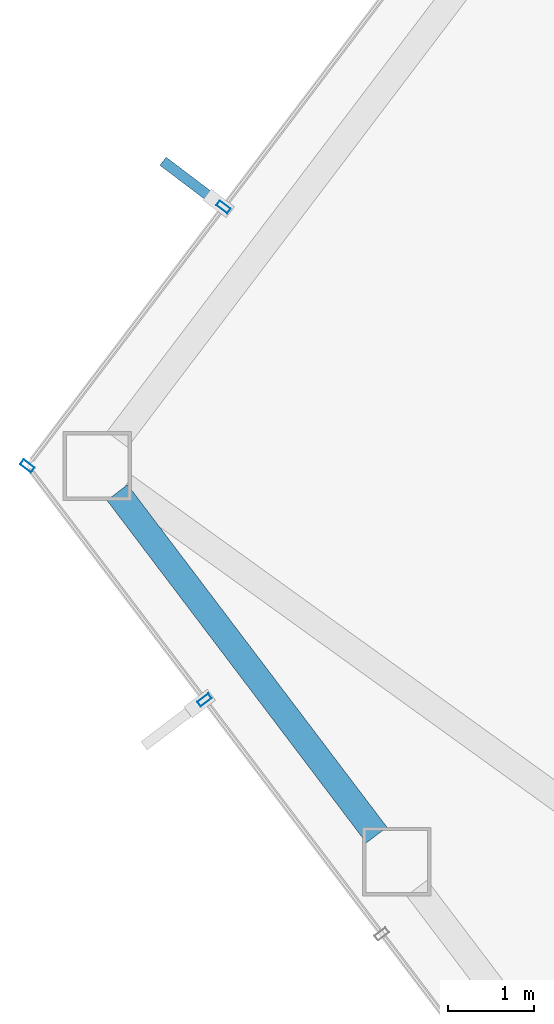
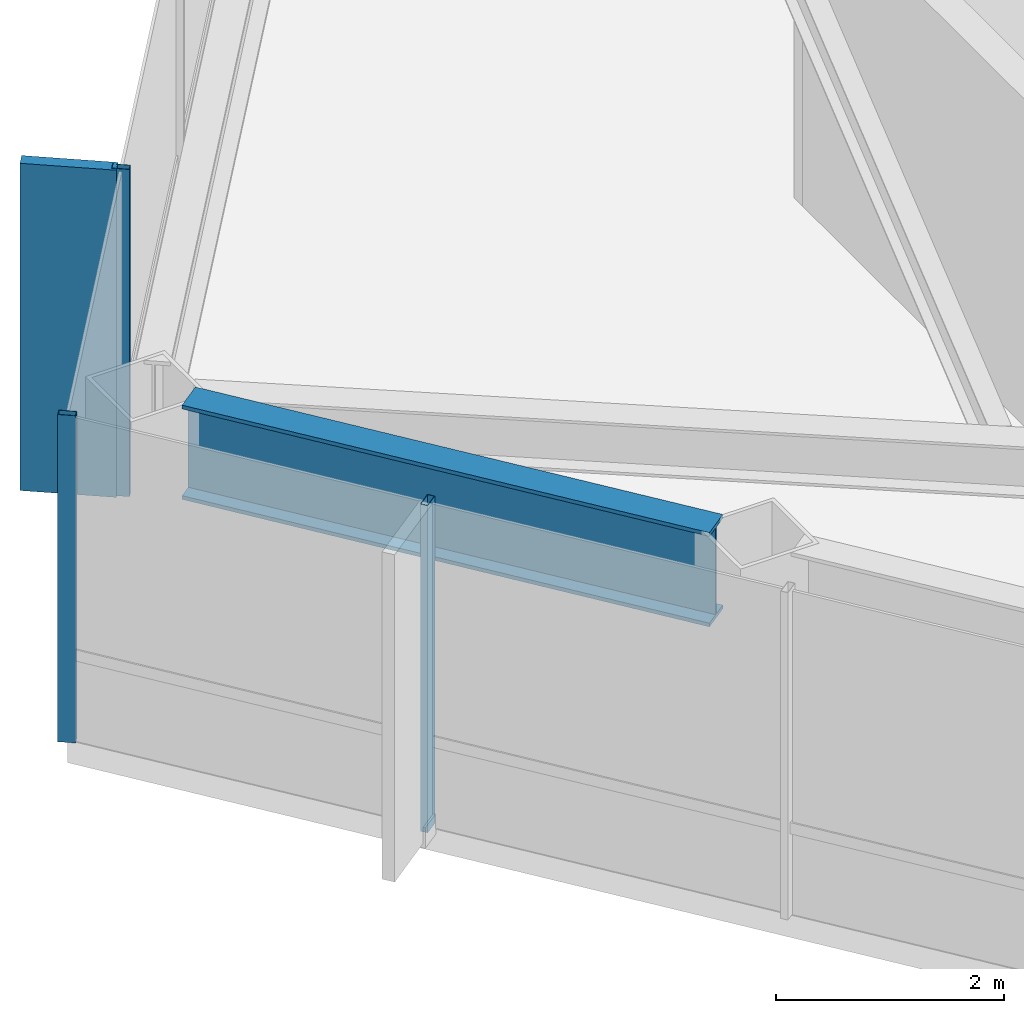
# One storey, part 10 of 29: 4 members, 1 beam, 2 elements without a shape of their own.
"""IFC4 building model written with IfcOpenShell, lengths in metres."""

from ifc_helpers import new_model, si_unit, direction, frame, origin, origin_2d, place, context, subcontext, project, spatial, rectangle, hollow_rectangle, i_section, extrude, material, layer, layer_set, material_profile, profile_set, type_object, element, aggregate, save


model = new_model("IFC4")

# Units and contexts
model_context = context("Model", 3, precision=1e-05, world=origin(), true_north=direction((0.0, 1.0)))
body_context = subcontext(model_context, "Body", "Model", "MODEL_VIEW")
ifc_project = project(units=[si_unit("LENGTHUNIT", "METRE"), si_unit("AREAUNIT", "SQUARE_METRE"), si_unit("VOLUMEUNIT", "CUBIC_METRE"), si_unit("PLANEANGLEUNIT", "RADIAN"), si_unit("MASSUNIT", "GRAM", prefix="KILO")], contexts=[model_context])

# Site, building, storey
site_placement = place(None, origin())
site = spatial("IfcSite", under=ifc_project, at=site_placement, CompositionType="ELEMENT")
building_placement = place(site_placement, origin())
building = spatial("IfcBuilding", under=site, at=building_placement, Name="Zarrinselat Tower", CompositionType="ELEMENT")
storey_placement = place(building_placement, frame((0.0, 0.0, 138.3798828125)))
storey = spatial("IfcBuildingStorey", under=building, at=storey_placement, Name="L33", CompositionType="ELEMENT", Elevation=138.3798828125)

# Beam
ifc_material_1 = material(Name="Steel S460M", Category="steel")
ifc_material_profile_1 = material_profile(ifc_material_1, i_section(OverallWidth=0.302001953125, OverallDepth=1.008056640625, WebThickness=0.02099609375, FlangeThickness=0.0400390625, at=origin_2d()), Name="HEM 1000")
ifc_profile_set_1 = profile_set([ifc_material_profile_1], Name="Steel S460M")
beam_type = type_object("IfcBeamType", Name="BM-HEM1000", PredefinedType="BEAM", material=ifc_profile_set_1)
beam_placement = place(storey_placement, frame((16.472412109375, 36.7509765625, 2.99609375), z_axis=(0.603840817035, -0.797104928904, 0.0), x_axis=(0.797104928904, 0.603840817035, 0.0)))
element("IfcBeam", 1, at=beam_placement, inside=storey, type_object=beam_type, Name="L33 Perimeter Spandrel Girder SP06", PredefinedType="BEAM", context=body_context, shape_type="SweptSolid", body=[
    extrude(i_section(OverallWidth=0.302001953125, OverallDepth=1.008056640625, WebThickness=0.02099609375, FlangeThickness=0.0400390625, at=origin_2d()), origin(), (0.0, 0.0, 1.0), 5.01513671875),
])

# Curtain wall, members
ifc_material_2 = material(Name="Extruded Aluminium Alloy EN AW-6063 T6", Category="aluminium")
ifc_layer = layer(ifc_material_2, 0.175048828125)
ifc_layer_set = layer_set([ifc_layer], Name="Extruded Aluminium Alloy EN AW-6063 T6")
curtain_wall_type = type_object("IfcCurtainWallType", Name="CWS-HTL", PredefinedType="NOTDEFINED", material=ifc_layer_set)
curtain_wall_1_placement = place(storey_placement, origin())
curtain_wall_1 = element("IfcCurtainWall", 2, at=curtain_wall_1_placement, inside=storey, type_object=curtain_wall_type, Name="L33 Unitised Curtain Wall CW-L33-E02", PredefinedType="NOTDEFINED")
ifc_material_3 = material(Name="Extruded Aluminium Alloy EN AW-6063 T6", Category="aluminium")
ifc_material_profile_2 = material_profile(ifc_material_3, hollow_rectangle(XDim=0.070068359375, YDim=0.159912109375, WallThickness=0.00390625, at=origin_2d()), Name="RHS 160x70x4")
ifc_profile_set_2 = profile_set([ifc_material_profile_2], Name="Extruded Aluminium Alloy EN AW-6063 T6")
member_type_1 = type_object("IfcMemberType", Name="MEM-CW-MUL2", PredefinedType="MULLION", material=ifc_profile_set_2)
member_1_placement = place(storey_placement, frame((17.712158203125, 40.082763671875, 0.0), z_axis=(0.0, 0.0, 1.0), x_axis=(-0.603859211262, -0.797090994162, 0.0)))
member_1 = element("IfcMember", 3, at=member_1_placement, type_object=member_type_1, Name="CW-L33-E02 Mullion 3", PredefinedType="MULLION", context=body_context, shape_type="SweptSolid", body=[
    extrude(hollow_rectangle(XDim=0.070068359375, YDim=0.159912109375, WallThickness=0.00390625, at=origin_2d()), origin(), (0.0, 0.0, 1.0), 3.5),
])
member_2_placement = place(storey_placement, frame((15.422607421875, 37.060302734375, 0.0), z_axis=(0.0, 0.0, 1.0), x_axis=(-0.603859211262, -0.797090994162, 0.0)))
member_2 = element("IfcMember", 4, at=member_2_placement, type_object=member_type_1, Name="CW-L33-E02 Mullion 4", PredefinedType="MULLION", context=body_context, shape_type="SweptSolid", body=[
    extrude(hollow_rectangle(XDim=0.070068359375, YDim=0.159912109375, WallThickness=0.00390625, at=origin_2d()), origin(), (0.0, 0.0, 1.0), 3.5),
])

# Curtain wall, member
curtain_wall_2_placement = place(storey_placement, origin())
curtain_wall_2 = element("IfcCurtainWall", 5, at=curtain_wall_2_placement, inside=storey, type_object=curtain_wall_type, Name="L33 Unitised Curtain Wall CW-L33-E03", PredefinedType="NOTDEFINED")
member_3_placement = place(storey_placement, frame((17.4912109375, 34.32958984375, 0.0), z_axis=(0.0, 0.0, 1.0), x_axis=(0.603855520216, -0.797093790407, 0.0)))
member_3 = element("IfcMember", 6, at=member_3_placement, type_object=member_type_1, Name="CW-L33-E03 Mullion 1", PredefinedType="MULLION", context=body_context, shape_type="SweptSolid", body=[
    extrude(hollow_rectangle(XDim=0.070068359375, YDim=0.159912109375, WallThickness=0.00390625, at=origin_2d()), origin(), (0.0, 0.0, 1.0), 3.5),
])
aggregate(curtain_wall_2, [member_3])

# Member
ifc_material_4 = material(Name="Honed Cream Travertine Stone", Category="masonry")
ifc_material_profile_3 = material_profile(ifc_material_4, rectangle(XDim=0.1201171875, YDim=0.85009765625, at=origin_2d()), Name="FIN 850x120")
ifc_profile_set_3 = profile_set([ifc_material_profile_3], Name="Honed Cream Travertine Stone")
member_type_2 = type_object("IfcMemberType", Name="MEM-STONE-FIN", PredefinedType="USERDEFINED", material=ifc_profile_set_3)
member_4_placement = place(storey_placement, frame((17.345458984375, 40.360595703125, 0.0), z_axis=(0.0, 0.0, 1.0), x_axis=(0.603859211262, 0.797090994162, 0.0)))
member_4 = element("IfcMember", 7, at=member_4_placement, type_object=member_type_2, Name="L33 Stone Shading Fin CW-L33-E02-03", ObjectType="FIN", PredefinedType="USERDEFINED", context=body_context, shape_type="SweptSolid", body=[
    extrude(rectangle(XDim=0.1201171875, YDim=0.85009765625, at=origin_2d()), origin(), (0.0, 0.0, 1.0), 3.5),
])

aggregate(curtain_wall_1, [member_1, member_4, member_2])

save(model, "model.ifc")
